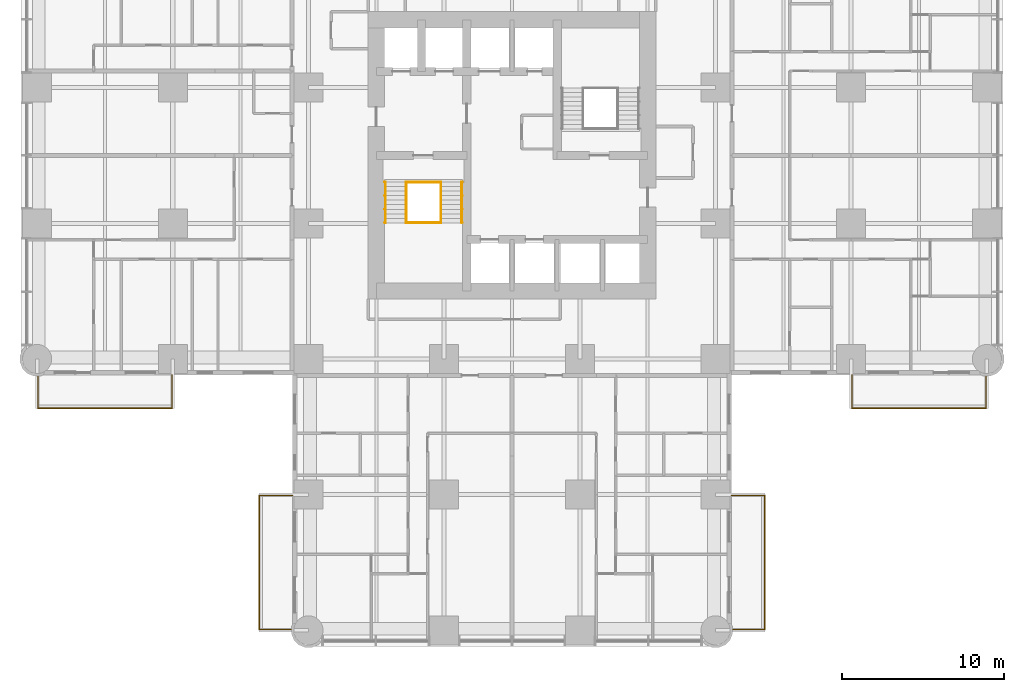
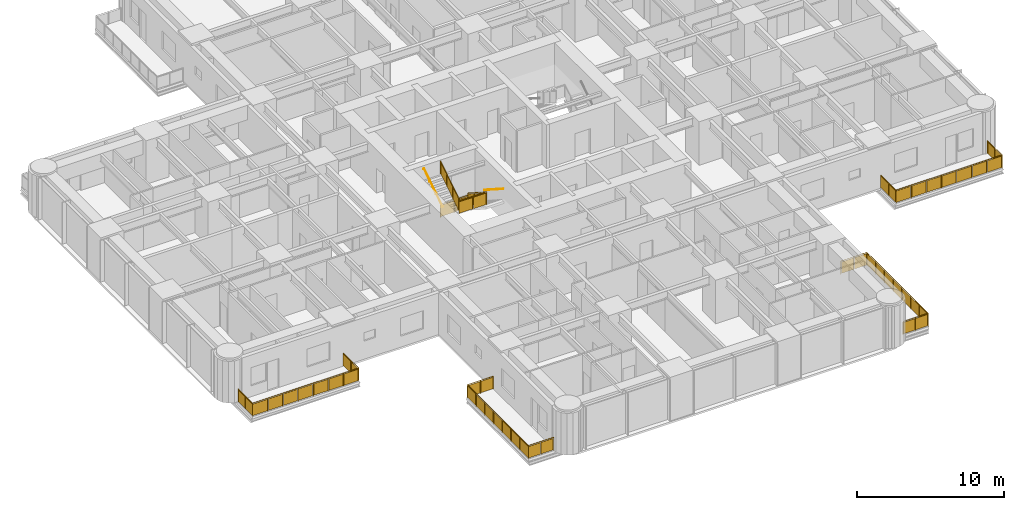
# One storey, part 16 of 17: 10 railings.
"""IFC4 building model written with IfcOpenShell, lengths in metres."""

from ifc_helpers import new_model, si_unit, direction, frame, origin, origin_2d, place, context, subcontext, project, spatial, polyline, circle, outline, extrude, material, constituent, constituent_set, type_object, element, save


model = new_model("IFC4")

# Units and contexts
model_context = context("Model", 3, precision=1e-05, world=origin(), true_north=direction((0.0, 1.0)))
body_context = subcontext(model_context, "Body", "Model", "MODEL_VIEW")
ifc_project = project(units=[si_unit("LENGTHUNIT", "METRE"), si_unit("AREAUNIT", "SQUARE_METRE"), si_unit("VOLUMEUNIT", "CUBIC_METRE"), si_unit("PLANEANGLEUNIT", "RADIAN"), si_unit("MASSUNIT", "GRAM", prefix="KILO")], contexts=[model_context])

# Site, building, storey
site_placement = place(None, origin())
site = spatial("IfcSite", under=ifc_project, at=site_placement, CompositionType="ELEMENT")
building_placement = place(site_placement, origin())
building = spatial("IfcBuilding", under=site, at=building_placement, Name="Torre Alcanfor", CompositionType="ELEMENT")
storey_placement = place(building_placement, frame((0.0, 0.0, 34.5)))
storey = spatial("IfcBuildingStorey", under=building, at=storey_placement, Name="L07", CompositionType="ELEMENT", Elevation=34.5)

# Railings
ifc_material_1 = material(Name="Laminated safety glass", Category="glass")
ifc_constituent_1 = constituent(ifc_material_1, Name="Infill")
ifc_material_2 = material(Name="Stainless steel ASTM A554 Grade MT 316L tube", Category="steel")
ifc_constituent_2 = constituent(ifc_material_2, Name="Posts and rail")
ifc_constituent_set = constituent_set(constituents=[ifc_constituent_1, ifc_constituent_2], Name="Balcony guard glass 1100")
railing_type_1 = type_object("IfcRailingType", Name="Balcony guard glass 1100", PredefinedType="BALUSTRADE", material=ifc_constituent_set)
railing_1_placement = place(storey_placement, frame((50.449951171875, 15.800048828125, 0.0)))
element("IfcRailing", 1, at=railing_1_placement, inside=storey, type_object=railing_type_1, Name="Balcony guard L07-E2", PredefinedType="BALUSTRADE", context=body_context, shape_type="SweptSolid", body=[
    extrude(circle(Radius=0.02392578125, at=origin_2d()), frame((0.0, 0.0, 1.076171875), z_axis=(0.0, -1.0, 0.0), x_axis=(1.0, 0.0, 0.0)), (0.0, 0.0, 1.0), 2.050048828125),
    extrude(circle(Radius=0.02392578125, at=origin_2d()), frame((0.0, -2.050048828125, 1.076171875), z_axis=(1.0, 0.0, 0.0), x_axis=(0.0, 1.0, 0.0)), (0.0, 0.0, 1.0), 8.300048828125),
    extrude(circle(Radius=0.02392578125, at=origin_2d()), frame((8.300048828125, -2.050048828125, 1.076171875), z_axis=(0.0, 1.0, 0.0), x_axis=(-1.0, 0.0, 0.0)), (0.0, 0.0, 1.0), 1.968994140625),
    extrude(circle(Radius=0.02099609375, at=origin_2d()), origin(), (0.0, 0.0, 1.0), 1.052001953125),
    extrude(circle(Radius=0.02099609375, at=origin_2d()), frame((0.0, -1.02490234375, 0.0)), (0.0, 0.0, 1.0), 1.052001953125),
    extrude(circle(Radius=0.02099609375, at=origin_2d()), frame((0.0, -2.050048828125, 0.0)), (0.0, 0.0, 1.0), 1.052001953125),
    extrude(circle(Radius=0.02099609375, at=origin_2d()), frame((1.185791015625, -2.050048828125, 0.0)), (0.0, 0.0, 1.0), 1.052001953125),
    extrude(circle(Radius=0.02099609375, at=origin_2d()), frame((2.371337890625, -2.050048828125, 0.0)), (0.0, 0.0, 1.0), 1.052001953125),
    extrude(circle(Radius=0.02099609375, at=origin_2d()), frame((3.55712890625, -2.050048828125, 0.0)), (0.0, 0.0, 1.0), 1.052001953125),
    extrude(circle(Radius=0.02099609375, at=origin_2d()), frame((4.742919921875, -2.050048828125, 0.0)), (0.0, 0.0, 1.0), 1.052001953125),
    extrude(circle(Radius=0.02099609375, at=origin_2d()), frame((5.9287109375, -2.050048828125, 0.0)), (0.0, 0.0, 1.0), 1.052001953125),
    extrude(circle(Radius=0.02099609375, at=origin_2d()), frame((7.1142578125, -2.050048828125, 0.0)), (0.0, 0.0, 1.0), 1.052001953125),
    extrude(circle(Radius=0.02099609375, at=origin_2d()), frame((8.300048828125, -2.050048828125, 0.0)), (0.0, 0.0, 1.0), 1.052001953125),
    extrude(circle(Radius=0.02099609375, at=origin_2d()), frame((8.300048828125, -1.0654296875, 0.0)), (0.0, 0.0, 1.0), 1.052001953125),
    extrude(circle(Radius=0.02099609375, at=origin_2d()), frame((8.300048828125, -0.0810546875, 0.0)), (0.0, 0.0, 1.0), 1.052001953125),
    extrude(outline(polyline([(0.041015625, 0.050048828125), (0.984130859375, 0.050048828125), (0.984130859375, 1.001953125), (0.041015625, 1.001953125), (0.041015625, 0.050048828125)])), frame((0.005859375, 0.0, 0.0), z_axis=(-1.0, 0.0, 0.0), x_axis=(0.0, -1.0, 0.0)), (0.0, 0.0, 1.0), 0.011962890625),
    extrude(outline(polyline([(1.06591796875, 0.050048828125), (2.009033203125, 0.050048828125), (2.009033203125, 1.001953125), (1.06591796875, 1.001953125), (1.06591796875, 0.050048828125)])), frame((0.005859375, 0.0, 0.0), z_axis=(-1.0, 0.0, 0.0), x_axis=(0.0, -1.0, 0.0)), (0.0, 0.0, 1.0), 0.011962890625),
    extrude(outline(polyline([(0.041015625, 0.050048828125), (1.144775390625, 0.050048828125), (1.144775390625, 1.001953125), (0.041015625, 1.001953125), (0.041015625, 0.050048828125)])), frame((0.0, -2.0439453125, 0.0), z_axis=(0.0, -1.0, 0.0), x_axis=(1.0, 0.0, 0.0)), (0.0, 0.0, 1.0), 0.011962890625),
    extrude(outline(polyline([(1.226806640625, 0.050048828125), (2.330322265625, 0.050048828125), (2.330322265625, 1.001953125), (1.226806640625, 1.001953125), (1.226806640625, 0.050048828125)])), frame((0.0, -2.0439453125, 0.0), z_axis=(0.0, -1.0, 0.0), x_axis=(1.0, 0.0, 0.0)), (0.0, 0.0, 1.0), 0.011962890625),
    extrude(outline(polyline([(2.412353515625, 0.050048828125), (3.51611328125, 0.050048828125), (3.51611328125, 1.001953125), (2.412353515625, 1.001953125), (2.412353515625, 0.050048828125)])), frame((0.0, -2.0439453125, 0.0), z_axis=(0.0, -1.0, 0.0), x_axis=(1.0, 0.0, 0.0)), (0.0, 0.0, 1.0), 0.011962890625),
    extrude(outline(polyline([(3.59814453125, 0.050048828125), (4.701904296875, 0.050048828125), (4.701904296875, 1.001953125), (3.59814453125, 1.001953125), (3.59814453125, 0.050048828125)])), frame((0.0, -2.0439453125, 0.0), z_axis=(0.0, -1.0, 0.0), x_axis=(1.0, 0.0, 0.0)), (0.0, 0.0, 1.0), 0.011962890625),
    extrude(outline(polyline([(4.783935546875, 0.050048828125), (5.8876953125, 0.050048828125), (5.8876953125, 1.001953125), (4.783935546875, 1.001953125), (4.783935546875, 0.050048828125)])), frame((0.0, -2.0439453125, 0.0), z_axis=(0.0, -1.0, 0.0), x_axis=(1.0, 0.0, 0.0)), (0.0, 0.0, 1.0), 0.011962890625),
    extrude(outline(polyline([(5.9697265625, 0.050048828125), (7.0732421875, 0.050048828125), (7.0732421875, 1.001953125), (5.9697265625, 1.001953125), (5.9697265625, 0.050048828125)])), frame((0.0, -2.0439453125, 0.0), z_axis=(0.0, -1.0, 0.0), x_axis=(1.0, 0.0, 0.0)), (0.0, 0.0, 1.0), 0.011962890625),
    extrude(outline(polyline([(7.1552734375, 0.050048828125), (8.259033203125, 0.050048828125), (8.259033203125, 1.001953125), (7.1552734375, 1.001953125), (7.1552734375, 0.050048828125)])), frame((0.0, -2.0439453125, 0.0), z_axis=(0.0, -1.0, 0.0), x_axis=(1.0, 0.0, 0.0)), (0.0, 0.0, 1.0), 0.011962890625),
    extrude(outline(polyline([(0.041015625, 0.050048828125), (0.943603515625, 0.050048828125), (0.943603515625, 1.001953125), (0.041015625, 1.001953125), (0.041015625, 0.050048828125)])), frame((8.2939453125, -2.050048828125, 0.0), z_axis=(1.0, 0.0, 0.0), x_axis=(0.0, 1.0, 0.0)), (0.0, 0.0, 1.0), 0.011962890625),
    extrude(outline(polyline([(1.025390625, 0.050048828125), (1.927978515625, 0.050048828125), (1.927978515625, 1.001953125), (1.025390625, 1.001953125), (1.025390625, 0.050048828125)])), frame((8.2939453125, -2.050048828125, 0.0), z_axis=(1.0, 0.0, 0.0), x_axis=(0.0, 1.0, 0.0)), (0.0, 0.0, 1.0), 0.011962890625),
])
railing_2_placement = place(storey_placement, frame((43.0, 8.35009765625, 0.0)))
element("IfcRailing", 2, at=railing_2_placement, inside=storey, type_object=railing_type_1, Name="Balcony guard L07-S1", PredefinedType="BALUSTRADE", context=body_context, shape_type="SweptSolid", body=[
    extrude(circle(Radius=0.02392578125, at=origin_2d()), frame((0.0, 0.0, 1.076171875), z_axis=(1.0, 0.0, 0.0), x_axis=(0.0, 1.0, 0.0)), (0.0, 0.0, 1.0), 2.050048828125),
    extrude(circle(Radius=0.02392578125, at=origin_2d()), frame((2.050048828125, 0.0, 1.076171875), z_axis=(0.0, -1.0, 0.0), x_axis=(1.0, 0.0, 0.0)), (0.0, 0.0, 1.0), 8.300048828125),
    extrude(circle(Radius=0.02392578125, at=origin_2d()), frame((2.050048828125, -8.300048828125, 1.076171875), z_axis=(-1.0, 0.0, 0.0), x_axis=(0.0, -1.0, 0.0)), (0.0, 0.0, 1.0), 1.968994140625),
    extrude(circle(Radius=0.02099609375, at=origin_2d()), origin(), (0.0, 0.0, 1.0), 1.052001953125),
    extrude(circle(Radius=0.02099609375, at=origin_2d()), frame((1.02490234375, 0.0, 0.0)), (0.0, 0.0, 1.0), 1.052001953125),
    extrude(circle(Radius=0.02099609375, at=origin_2d()), frame((2.050048828125, 0.0, 0.0)), (0.0, 0.0, 1.0), 1.052001953125),
    extrude(circle(Radius=0.02099609375, at=origin_2d()), frame((2.050048828125, -1.185791015625, 0.0)), (0.0, 0.0, 1.0), 1.052001953125),
    extrude(circle(Radius=0.02099609375, at=origin_2d()), frame((2.050048828125, -2.371337890625, 0.0)), (0.0, 0.0, 1.0), 1.052001953125),
    extrude(circle(Radius=0.02099609375, at=origin_2d()), frame((2.050048828125, -3.55712890625, 0.0)), (0.0, 0.0, 1.0), 1.052001953125),
    extrude(circle(Radius=0.02099609375, at=origin_2d()), frame((2.050048828125, -4.742919921875, 0.0)), (0.0, 0.0, 1.0), 1.052001953125),
    extrude(circle(Radius=0.02099609375, at=origin_2d()), frame((2.050048828125, -5.9287109375, 0.0)), (0.0, 0.0, 1.0), 1.052001953125),
    extrude(circle(Radius=0.02099609375, at=origin_2d()), frame((2.050048828125, -7.1142578125, 0.0)), (0.0, 0.0, 1.0), 1.052001953125),
    extrude(circle(Radius=0.02099609375, at=origin_2d()), frame((2.050048828125, -8.300048828125, 0.0)), (0.0, 0.0, 1.0), 1.052001953125),
    extrude(circle(Radius=0.02099609375, at=origin_2d()), frame((1.0654296875, -8.300048828125, 0.0)), (0.0, 0.0, 1.0), 1.052001953125),
    extrude(circle(Radius=0.02099609375, at=origin_2d()), frame((0.0810546875, -8.300048828125, 0.0)), (0.0, 0.0, 1.0), 1.052001953125),
    extrude(outline(polyline([(0.041015625, 0.050048828125), (0.984130859375, 0.050048828125), (0.984130859375, 1.001953125), (0.041015625, 1.001953125), (0.041015625, 0.050048828125)])), frame((0.0, 0.005859375, 0.0), z_axis=(0.0, -1.0, 0.0), x_axis=(1.0, 0.0, 0.0)), (0.0, 0.0, 1.0), 0.011962890625),
    extrude(outline(polyline([(1.06591796875, 0.050048828125), (2.009033203125, 0.050048828125), (2.009033203125, 1.001953125), (1.06591796875, 1.001953125), (1.06591796875, 0.050048828125)])), frame((0.0, 0.005859375, 0.0), z_axis=(0.0, -1.0, 0.0), x_axis=(1.0, 0.0, 0.0)), (0.0, 0.0, 1.0), 0.011962890625),
    extrude(outline(polyline([(0.041015625, 0.050048828125), (1.144775390625, 0.050048828125), (1.144775390625, 1.001953125), (0.041015625, 1.001953125), (0.041015625, 0.050048828125)])), frame((2.05615234375, 0.0, 0.0), z_axis=(-1.0, 0.0, 0.0), x_axis=(0.0, -1.0, 0.0)), (0.0, 0.0, 1.0), 0.011962890625),
    extrude(outline(polyline([(1.226806640625, 0.050048828125), (2.330322265625, 0.050048828125), (2.330322265625, 1.001953125), (1.226806640625, 1.001953125), (1.226806640625, 0.050048828125)])), frame((2.05615234375, 0.0, 0.0), z_axis=(-1.0, 0.0, 0.0), x_axis=(0.0, -1.0, 0.0)), (0.0, 0.0, 1.0), 0.011962890625),
    extrude(outline(polyline([(2.412353515625, 0.050048828125), (3.51611328125, 0.050048828125), (3.51611328125, 1.001953125), (2.412353515625, 1.001953125), (2.412353515625, 0.050048828125)])), frame((2.05615234375, 0.0, 0.0), z_axis=(-1.0, 0.0, 0.0), x_axis=(0.0, -1.0, 0.0)), (0.0, 0.0, 1.0), 0.011962890625),
    extrude(outline(polyline([(3.59814453125, 0.050048828125), (4.701904296875, 0.050048828125), (4.701904296875, 1.001953125), (3.59814453125, 1.001953125), (3.59814453125, 0.050048828125)])), frame((2.05615234375, 0.0, 0.0), z_axis=(-1.0, 0.0, 0.0), x_axis=(0.0, -1.0, 0.0)), (0.0, 0.0, 1.0), 0.011962890625),
    extrude(outline(polyline([(4.783935546875, 0.050048828125), (5.8876953125, 0.050048828125), (5.8876953125, 1.001953125), (4.783935546875, 1.001953125), (4.783935546875, 0.050048828125)])), frame((2.05615234375, 0.0, 0.0), z_axis=(-1.0, 0.0, 0.0), x_axis=(0.0, -1.0, 0.0)), (0.0, 0.0, 1.0), 0.011962890625),
    extrude(outline(polyline([(5.9697265625, 0.050048828125), (7.0732421875, 0.050048828125), (7.0732421875, 1.001953125), (5.9697265625, 1.001953125), (5.9697265625, 0.050048828125)])), frame((2.05615234375, 0.0, 0.0), z_axis=(-1.0, 0.0, 0.0), x_axis=(0.0, -1.0, 0.0)), (0.0, 0.0, 1.0), 0.011962890625),
    extrude(outline(polyline([(7.1552734375, 0.050048828125), (8.259033203125, 0.050048828125), (8.259033203125, 1.001953125), (7.1552734375, 1.001953125), (7.1552734375, 0.050048828125)])), frame((2.05615234375, 0.0, 0.0), z_axis=(-1.0, 0.0, 0.0), x_axis=(0.0, -1.0, 0.0)), (0.0, 0.0, 1.0), 0.011962890625),
    extrude(outline(polyline([(0.041015625, 0.050048828125), (0.943603515625, 0.050048828125), (0.943603515625, 1.001953125), (0.041015625, 1.001953125), (0.041015625, 0.050048828125)])), frame((2.050048828125, -8.30615234375, 0.0), z_axis=(0.0, 1.0, 0.0), x_axis=(-1.0, 0.0, 0.0)), (0.0, 0.0, 1.0), 0.011962890625),
    extrude(outline(polyline([(1.025390625, 0.050048828125), (1.927978515625, 0.050048828125), (1.927978515625, 1.001953125), (1.025390625, 1.001953125), (1.025390625, 0.050048828125)])), frame((2.050048828125, -8.30615234375, 0.0), z_axis=(0.0, 1.0, 0.0), x_axis=(-1.0, 0.0, 0.0)), (0.0, 0.0, 1.0), 0.011962890625),
])
railing_3_placement = place(storey_placement, frame((15.800048828125, 8.35009765625, 0.0)))
element("IfcRailing", 3, at=railing_3_placement, inside=storey, type_object=railing_type_1, Name="Balcony guard L07-S2", PredefinedType="BALUSTRADE", context=body_context, shape_type="SweptSolid", body=[
    extrude(circle(Radius=0.02392578125, at=origin_2d()), frame((0.0, 0.0, 1.076171875), z_axis=(-1.0, 0.0, 0.0), x_axis=(0.0, -1.0, 0.0)), (0.0, 0.0, 1.0), 2.050048828125),
    extrude(circle(Radius=0.02392578125, at=origin_2d()), frame((-2.050048828125, 0.0, 1.076171875), z_axis=(0.0, -1.0, 0.0), x_axis=(1.0, 0.0, 0.0)), (0.0, 0.0, 1.0), 8.300048828125),
    extrude(circle(Radius=0.02392578125, at=origin_2d()), frame((-2.050048828125, -8.300048828125, 1.076171875), z_axis=(1.0, 0.0, 0.0), x_axis=(0.0, 1.0, 0.0)), (0.0, 0.0, 1.0), 1.968994140625),
    extrude(circle(Radius=0.02099609375, at=origin_2d()), origin(), (0.0, 0.0, 1.0), 1.052001953125),
    extrude(circle(Radius=0.02099609375, at=origin_2d()), frame((-1.02490234375, 0.0, 0.0)), (0.0, 0.0, 1.0), 1.052001953125),
    extrude(circle(Radius=0.02099609375, at=origin_2d()), frame((-2.050048828125, 0.0, 0.0)), (0.0, 0.0, 1.0), 1.052001953125),
    extrude(circle(Radius=0.02099609375, at=origin_2d()), frame((-2.050048828125, -1.185791015625, 0.0)), (0.0, 0.0, 1.0), 1.052001953125),
    extrude(circle(Radius=0.02099609375, at=origin_2d()), frame((-2.050048828125, -2.371337890625, 0.0)), (0.0, 0.0, 1.0), 1.052001953125),
    extrude(circle(Radius=0.02099609375, at=origin_2d()), frame((-2.050048828125, -3.55712890625, 0.0)), (0.0, 0.0, 1.0), 1.052001953125),
    extrude(circle(Radius=0.02099609375, at=origin_2d()), frame((-2.050048828125, -4.742919921875, 0.0)), (0.0, 0.0, 1.0), 1.052001953125),
    extrude(circle(Radius=0.02099609375, at=origin_2d()), frame((-2.050048828125, -5.9287109375, 0.0)), (0.0, 0.0, 1.0), 1.052001953125),
    extrude(circle(Radius=0.02099609375, at=origin_2d()), frame((-2.050048828125, -7.1142578125, 0.0)), (0.0, 0.0, 1.0), 1.052001953125),
    extrude(circle(Radius=0.02099609375, at=origin_2d()), frame((-2.050048828125, -8.300048828125, 0.0)), (0.0, 0.0, 1.0), 1.052001953125),
    extrude(circle(Radius=0.02099609375, at=origin_2d()), frame((-1.0654296875, -8.300048828125, 0.0)), (0.0, 0.0, 1.0), 1.052001953125),
    extrude(circle(Radius=0.02099609375, at=origin_2d()), frame((-0.0810546875, -8.300048828125, 0.0)), (0.0, 0.0, 1.0), 1.052001953125),
    extrude(outline(polyline([(0.041015625, 0.050048828125), (0.984130859375, 0.050048828125), (0.984130859375, 1.001953125), (0.041015625, 1.001953125), (0.041015625, 0.050048828125)])), frame((0.0, -0.005859375, 0.0), z_axis=(0.0, 1.0, 0.0), x_axis=(-1.0, 0.0, 0.0)), (0.0, 0.0, 1.0), 0.011962890625),
    extrude(outline(polyline([(1.06591796875, 0.050048828125), (2.009033203125, 0.050048828125), (2.009033203125, 1.001953125), (1.06591796875, 1.001953125), (1.06591796875, 0.050048828125)])), frame((0.0, -0.005859375, 0.0), z_axis=(0.0, 1.0, 0.0), x_axis=(-1.0, 0.0, 0.0)), (0.0, 0.0, 1.0), 0.011962890625),
    extrude(outline(polyline([(0.041015625, 0.050048828125), (1.144775390625, 0.050048828125), (1.144775390625, 1.001953125), (0.041015625, 1.001953125), (0.041015625, 0.050048828125)])), frame((-2.0439453125, 0.0, 0.0), z_axis=(-1.0, 0.0, 0.0), x_axis=(0.0, -1.0, 0.0)), (0.0, 0.0, 1.0), 0.011962890625),
    extrude(outline(polyline([(1.226806640625, 0.050048828125), (2.330322265625, 0.050048828125), (2.330322265625, 1.001953125), (1.226806640625, 1.001953125), (1.226806640625, 0.050048828125)])), frame((-2.0439453125, 0.0, 0.0), z_axis=(-1.0, 0.0, 0.0), x_axis=(0.0, -1.0, 0.0)), (0.0, 0.0, 1.0), 0.011962890625),
    extrude(outline(polyline([(2.412353515625, 0.050048828125), (3.51611328125, 0.050048828125), (3.51611328125, 1.001953125), (2.412353515625, 1.001953125), (2.412353515625, 0.050048828125)])), frame((-2.0439453125, 0.0, 0.0), z_axis=(-1.0, 0.0, 0.0), x_axis=(0.0, -1.0, 0.0)), (0.0, 0.0, 1.0), 0.011962890625),
    extrude(outline(polyline([(3.59814453125, 0.050048828125), (4.701904296875, 0.050048828125), (4.701904296875, 1.001953125), (3.59814453125, 1.001953125), (3.59814453125, 0.050048828125)])), frame((-2.0439453125, 0.0, 0.0), z_axis=(-1.0, 0.0, 0.0), x_axis=(0.0, -1.0, 0.0)), (0.0, 0.0, 1.0), 0.011962890625),
    extrude(outline(polyline([(4.783935546875, 0.050048828125), (5.8876953125, 0.050048828125), (5.8876953125, 1.001953125), (4.783935546875, 1.001953125), (4.783935546875, 0.050048828125)])), frame((-2.0439453125, 0.0, 0.0), z_axis=(-1.0, 0.0, 0.0), x_axis=(0.0, -1.0, 0.0)), (0.0, 0.0, 1.0), 0.011962890625),
    extrude(outline(polyline([(5.9697265625, 0.050048828125), (7.0732421875, 0.050048828125), (7.0732421875, 1.001953125), (5.9697265625, 1.001953125), (5.9697265625, 0.050048828125)])), frame((-2.0439453125, 0.0, 0.0), z_axis=(-1.0, 0.0, 0.0), x_axis=(0.0, -1.0, 0.0)), (0.0, 0.0, 1.0), 0.011962890625),
    extrude(outline(polyline([(7.1552734375, 0.050048828125), (8.259033203125, 0.050048828125), (8.259033203125, 1.001953125), (7.1552734375, 1.001953125), (7.1552734375, 0.050048828125)])), frame((-2.0439453125, 0.0, 0.0), z_axis=(-1.0, 0.0, 0.0), x_axis=(0.0, -1.0, 0.0)), (0.0, 0.0, 1.0), 0.011962890625),
    extrude(outline(polyline([(0.041015625, 0.050048828125), (0.943603515625, 0.050048828125), (0.943603515625, 1.001953125), (0.041015625, 1.001953125), (0.041015625, 0.050048828125)])), frame((-2.050048828125, -8.2939453125, 0.0), z_axis=(0.0, -1.0, 0.0), x_axis=(1.0, 0.0, 0.0)), (0.0, 0.0, 1.0), 0.011962890625),
    extrude(outline(polyline([(1.025390625, 0.050048828125), (1.927978515625, 0.050048828125), (1.927978515625, 1.001953125), (1.025390625, 1.001953125), (1.025390625, 0.050048828125)])), frame((-2.050048828125, -8.2939453125, 0.0), z_axis=(0.0, -1.0, 0.0), x_axis=(1.0, 0.0, 0.0)), (0.0, 0.0, 1.0), 0.011962890625),
])
railing_4_placement = place(storey_placement, frame((8.35009765625, 15.800048828125, 0.0)))
element("IfcRailing", 4, at=railing_4_placement, inside=storey, type_object=railing_type_1, Name="Balcony guard L07-W1", PredefinedType="BALUSTRADE", context=body_context, shape_type="SweptSolid", body=[
    extrude(circle(Radius=0.02392578125, at=origin_2d()), frame((0.0, 0.0, 1.076171875), z_axis=(0.0, -1.0, 0.0), x_axis=(1.0, 0.0, 0.0)), (0.0, 0.0, 1.0), 2.050048828125),
    extrude(circle(Radius=0.02392578125, at=origin_2d()), frame((0.0, -2.050048828125, 1.076171875), z_axis=(-1.0, 0.0, 0.0), x_axis=(0.0, -1.0, 0.0)), (0.0, 0.0, 1.0), 8.300048828125),
    extrude(circle(Radius=0.02392578125, at=origin_2d()), frame((-8.300048828125, -2.050048828125, 1.076171875), z_axis=(0.0, 1.0, 0.0), x_axis=(-1.0, 0.0, 0.0)), (0.0, 0.0, 1.0), 1.968994140625),
    extrude(circle(Radius=0.02099609375, at=origin_2d()), origin(), (0.0, 0.0, 1.0), 1.052001953125),
    extrude(circle(Radius=0.02099609375, at=origin_2d()), frame((0.0, -1.02490234375, 0.0)), (0.0, 0.0, 1.0), 1.052001953125),
    extrude(circle(Radius=0.02099609375, at=origin_2d()), frame((0.0, -2.050048828125, 0.0)), (0.0, 0.0, 1.0), 1.052001953125),
    extrude(circle(Radius=0.02099609375, at=origin_2d()), frame((-1.185791015625, -2.050048828125, 0.0)), (0.0, 0.0, 1.0), 1.052001953125),
    extrude(circle(Radius=0.02099609375, at=origin_2d()), frame((-2.371337890625, -2.050048828125, 0.0)), (0.0, 0.0, 1.0), 1.052001953125),
    extrude(circle(Radius=0.02099609375, at=origin_2d()), frame((-3.55712890625, -2.050048828125, 0.0)), (0.0, 0.0, 1.0), 1.052001953125),
    extrude(circle(Radius=0.02099609375, at=origin_2d()), frame((-4.742919921875, -2.050048828125, 0.0)), (0.0, 0.0, 1.0), 1.052001953125),
    extrude(circle(Radius=0.02099609375, at=origin_2d()), frame((-5.9287109375, -2.050048828125, 0.0)), (0.0, 0.0, 1.0), 1.052001953125),
    extrude(circle(Radius=0.02099609375, at=origin_2d()), frame((-7.1142578125, -2.050048828125, 0.0)), (0.0, 0.0, 1.0), 1.052001953125),
    extrude(circle(Radius=0.02099609375, at=origin_2d()), frame((-8.300048828125, -2.050048828125, 0.0)), (0.0, 0.0, 1.0), 1.052001953125),
    extrude(circle(Radius=0.02099609375, at=origin_2d()), frame((-8.300048828125, -1.0654296875, 0.0)), (0.0, 0.0, 1.0), 1.052001953125),
    extrude(circle(Radius=0.02099609375, at=origin_2d()), frame((-8.300048828125, -0.0810546875, 0.0)), (0.0, 0.0, 1.0), 1.052001953125),
    extrude(outline(polyline([(0.041015625, 0.050048828125), (0.984130859375, 0.050048828125), (0.984130859375, 1.001953125), (0.041015625, 1.001953125), (0.041015625, 0.050048828125)])), frame((0.005859375, 0.0, 0.0), z_axis=(-1.0, 0.0, 0.0), x_axis=(0.0, -1.0, 0.0)), (0.0, 0.0, 1.0), 0.011962890625),
    extrude(outline(polyline([(1.06591796875, 0.050048828125), (2.009033203125, 0.050048828125), (2.009033203125, 1.001953125), (1.06591796875, 1.001953125), (1.06591796875, 0.050048828125)])), frame((0.005859375, 0.0, 0.0), z_axis=(-1.0, 0.0, 0.0), x_axis=(0.0, -1.0, 0.0)), (0.0, 0.0, 1.0), 0.011962890625),
    extrude(outline(polyline([(0.041015625, 0.050048828125), (1.144775390625, 0.050048828125), (1.144775390625, 1.001953125), (0.041015625, 1.001953125), (0.041015625, 0.050048828125)])), frame((0.0, -2.05615234375, 0.0), z_axis=(0.0, 1.0, 0.0), x_axis=(-1.0, 0.0, 0.0)), (0.0, 0.0, 1.0), 0.011962890625),
    extrude(outline(polyline([(1.226806640625, 0.050048828125), (2.330322265625, 0.050048828125), (2.330322265625, 1.001953125), (1.226806640625, 1.001953125), (1.226806640625, 0.050048828125)])), frame((0.0, -2.05615234375, 0.0), z_axis=(0.0, 1.0, 0.0), x_axis=(-1.0, 0.0, 0.0)), (0.0, 0.0, 1.0), 0.011962890625),
    extrude(outline(polyline([(2.412353515625, 0.050048828125), (3.51611328125, 0.050048828125), (3.51611328125, 1.001953125), (2.412353515625, 1.001953125), (2.412353515625, 0.050048828125)])), frame((0.0, -2.05615234375, 0.0), z_axis=(0.0, 1.0, 0.0), x_axis=(-1.0, 0.0, 0.0)), (0.0, 0.0, 1.0), 0.011962890625),
    extrude(outline(polyline([(3.59814453125, 0.050048828125), (4.701904296875, 0.050048828125), (4.701904296875, 1.001953125), (3.59814453125, 1.001953125), (3.59814453125, 0.050048828125)])), frame((0.0, -2.05615234375, 0.0), z_axis=(0.0, 1.0, 0.0), x_axis=(-1.0, 0.0, 0.0)), (0.0, 0.0, 1.0), 0.011962890625),
    extrude(outline(polyline([(4.783935546875, 0.050048828125), (5.8876953125, 0.050048828125), (5.8876953125, 1.001953125), (4.783935546875, 1.001953125), (4.783935546875, 0.050048828125)])), frame((0.0, -2.05615234375, 0.0), z_axis=(0.0, 1.0, 0.0), x_axis=(-1.0, 0.0, 0.0)), (0.0, 0.0, 1.0), 0.011962890625),
    extrude(outline(polyline([(5.9697265625, 0.050048828125), (7.0732421875, 0.050048828125), (7.0732421875, 1.001953125), (5.9697265625, 1.001953125), (5.9697265625, 0.050048828125)])), frame((0.0, -2.05615234375, 0.0), z_axis=(0.0, 1.0, 0.0), x_axis=(-1.0, 0.0, 0.0)), (0.0, 0.0, 1.0), 0.011962890625),
    extrude(outline(polyline([(7.1552734375, 0.050048828125), (8.259033203125, 0.050048828125), (8.259033203125, 1.001953125), (7.1552734375, 1.001953125), (7.1552734375, 0.050048828125)])), frame((0.0, -2.05615234375, 0.0), z_axis=(0.0, 1.0, 0.0), x_axis=(-1.0, 0.0, 0.0)), (0.0, 0.0, 1.0), 0.011962890625),
    extrude(outline(polyline([(0.041015625, 0.050048828125), (0.943603515625, 0.050048828125), (0.943603515625, 1.001953125), (0.041015625, 1.001953125), (0.041015625, 0.050048828125)])), frame((-8.30615234375, -2.050048828125, 0.0), z_axis=(1.0, 0.0, 0.0), x_axis=(0.0, 1.0, 0.0)), (0.0, 0.0, 1.0), 0.011962890625),
    extrude(outline(polyline([(1.025390625, 0.050048828125), (1.927978515625, 0.050048828125), (1.927978515625, 1.001953125), (1.025390625, 1.001953125), (1.025390625, 0.050048828125)])), frame((-8.30615234375, -2.050048828125, 0.0), z_axis=(1.0, 0.0, 0.0), x_axis=(0.0, 1.0, 0.0)), (0.0, 0.0, 1.0), 0.011962890625),
])
ifc_material_3 = material(Name="Steel ASTM A500 Grade C hollow sections", Category="steel")
railing_type_2 = type_object("IfcRailingType", Name="Stair guard and handrail 1100", PredefinedType="GUARDRAIL", material=ifc_material_3)
railing_5_placement = place(storey_placement, frame((25.0, 27.75, 0.179931640625)))
element("IfcRailing", 5, at=railing_5_placement, inside=storey, type_object=railing_type_2, Name="Stair guard S1 L07 flight 1", PredefinedType="GUARDRAIL", context=body_context, shape_type="SweptSolid", body=[
    extrude(circle(Radius=0.02392578125, at=origin_2d()), frame((0.0, 0.0, 1.076171875), z_axis=(0.0, -0.841162588446, 0.540782303519), x_axis=(1.0, 0.0, 0.0)), (0.0, 0.0, 1.0), 2.995849609375),
    extrude(circle(Radius=0.02099609375, at=origin_2d()), origin(), (0.0, 0.0, 1.0), 1.052001953125),
    extrude(circle(Radius=0.02099609375, at=origin_2d()), frame((0.0, -0.840087890625, 0.5400390625)), (0.0, 0.0, 1.0), 1.052001953125),
    extrude(circle(Radius=0.02099609375, at=origin_2d()), frame((0.0, -1.679931640625, 1.080078125)), (0.0, 0.0, 1.0), 1.052001953125),
    extrude(circle(Radius=0.02099609375, at=origin_2d()), frame((0.0, -2.52001953125, 1.6201171875)), (0.0, 0.0, 1.0), 1.052001953125),
    extrude(outline(polyline([(0.041015625, 0.076416015625), (0.799072265625, 0.563720703125), (0.799072265625, 1.515625), (0.041015625, 1.0283203125), (0.041015625, 0.076416015625)])), frame((0.005859375, 0.0, 0.0), z_axis=(-1.0, 0.0, 0.0), x_axis=(0.0, -1.0, 0.0)), (0.0, 0.0, 1.0), 0.011962890625),
    extrude(outline(polyline([(0.881103515625, 0.616455078125), (1.638916015625, 1.103759765625), (1.638916015625, 2.0556640625), (0.881103515625, 1.568359375), (0.881103515625, 0.616455078125)])), frame((0.005859375, 0.0, 0.0), z_axis=(-1.0, 0.0, 0.0), x_axis=(0.0, -1.0, 0.0)), (0.0, 0.0, 1.0), 0.011962890625),
    extrude(outline(polyline([(1.720947265625, 1.156494140625), (2.47900390625, 1.643798828125), (2.47900390625, 2.595703125), (1.720947265625, 2.1083984375), (1.720947265625, 1.156494140625)])), frame((0.005859375, 0.0, 0.0), z_axis=(-1.0, 0.0, 0.0), x_axis=(0.0, -1.0, 0.0)), (0.0, 0.0, 1.0), 0.011962890625),
])
railing_6_placement = place(storey_placement, frame((22.85009765625, 25.22998046875, 1.97998046875)))
element("IfcRailing", 6, at=railing_6_placement, inside=storey, type_object=railing_type_2, Name="Stair guard S1 L07 flight 2", PredefinedType="GUARDRAIL", context=body_context, shape_type="SweptSolid", body=[
    extrude(circle(Radius=0.02392578125, at=origin_2d()), frame((0.0, 0.0, 1.076171875), z_axis=(0.0, 0.841162588446, 0.540782303519), x_axis=(-1.0, 0.0, 0.0)), (0.0, 0.0, 1.0), 2.995849609375),
    extrude(circle(Radius=0.02099609375, at=origin_2d()), origin(), (0.0, 0.0, 1.0), 1.052001953125),
    extrude(circle(Radius=0.02099609375, at=origin_2d()), frame((0.0, 0.840087890625, 0.5400390625)), (0.0, 0.0, 1.0), 1.052001953125),
    extrude(circle(Radius=0.02099609375, at=origin_2d()), frame((0.0, 1.679931640625, 1.080078125)), (0.0, 0.0, 1.0), 1.052001953125),
    extrude(circle(Radius=0.02099609375, at=origin_2d()), frame((0.0, 2.52001953125, 1.6201171875)), (0.0, 0.0, 1.0), 1.052001953125),
    extrude(outline(polyline([(0.041015625, 0.076416015625), (0.799072265625, 0.563720703125), (0.799072265625, 1.515625), (0.041015625, 1.0283203125), (0.041015625, 0.076416015625)])), frame((-0.005859375, 0.0, 0.0), z_axis=(1.0, 0.0, 0.0), x_axis=(0.0, 1.0, 0.0)), (0.0, 0.0, 1.0), 0.011962890625),
    extrude(outline(polyline([(0.881103515625, 0.616455078125), (1.638916015625, 1.103759765625), (1.638916015625, 2.0556640625), (0.881103515625, 1.568359375), (0.881103515625, 0.616455078125)])), frame((-0.005859375, 0.0, 0.0), z_axis=(1.0, 0.0, 0.0), x_axis=(0.0, 1.0, 0.0)), (0.0, 0.0, 1.0), 0.011962890625),
    extrude(outline(polyline([(1.720947265625, 1.156494140625), (2.47900390625, 1.643798828125), (2.47900390625, 2.595703125), (1.720947265625, 2.1083984375), (1.720947265625, 1.156494140625)])), frame((-0.005859375, 0.0, 0.0), z_axis=(1.0, 0.0, 0.0), x_axis=(0.0, 1.0, 0.0)), (0.0, 0.0, 1.0), 0.011962890625),
])
for number, where, name in (
    (7, (22.85009765625, 27.75, 0.0), "Stair well guard S1 L07 floor landing"),
    (8, (22.85009765625, 25.22998046875, 1.800048828125), "Stair well guard S1 L07 half landing"),
):
    element("IfcRailing", number, at=place(storey_placement, frame(where)), inside=storey, type_object=railing_type_2, Name=name, PredefinedType="GUARDRAIL", context=body_context, shape_type="SweptSolid", body=[
        extrude(circle(Radius=0.02392578125, at=origin_2d()), frame((0.0, 0.0, 1.076171875), z_axis=(1.0, 0.0, 0.0), x_axis=(0.0, 1.0, 0.0)), (0.0, 0.0, 1.0), 2.14990234375),
        extrude(circle(Radius=0.02099609375, at=origin_2d()), origin(), (0.0, 0.0, 1.0), 1.052001953125),
        extrude(circle(Radius=0.02099609375, at=origin_2d()), frame((1.074951171875, 0.0, 0.0)), (0.0, 0.0, 1.0), 1.052001953125),
        extrude(circle(Radius=0.02099609375, at=origin_2d()), frame((2.14990234375, 0.0, 0.0)), (0.0, 0.0, 1.0), 1.052001953125),
        extrude(outline(polyline([(0.041015625, 0.050048828125), (1.033935546875, 0.050048828125), (1.033935546875, 1.001953125), (0.041015625, 1.001953125), (0.041015625, 0.050048828125)])), frame((0.0, 0.005859375, 0.0), z_axis=(0.0, -1.0, 0.0), x_axis=(1.0, 0.0, 0.0)), (0.0, 0.0, 1.0), 0.011962890625),
        extrude(outline(polyline([(1.115966796875, 0.050048828125), (2.10888671875, 0.050048828125), (2.10888671875, 1.001953125), (1.115966796875, 1.001953125), (1.115966796875, 0.050048828125)])), frame((0.0, 0.005859375, 0.0), z_axis=(0.0, -1.0, 0.0), x_axis=(1.0, 0.0, 0.0)), (0.0, 0.0, 1.0), 0.011962890625),
    ])
ifc_material_4 = material(Name="Steel ASTM A500 Grade C hollow sections", Category="steel")
railing_type_3 = type_object("IfcRailingType", Name="Stair wall handrail 900", PredefinedType="HANDRAIL", material=ifc_material_4)
railing_7_placement = place(storey_placement, frame((26.284912109375, 27.75, 0.179931640625)))
element("IfcRailing", 9, at=railing_7_placement, inside=storey, type_object=railing_type_3, Name="Stair handrail S1 L07 flight 1", PredefinedType="HANDRAIL", context=body_context, shape_type="SweptSolid", body=[
    extrude(circle(Radius=0.02392578125, at=origin_2d()), frame((0.0, 0.0, 0.8759765625), z_axis=(0.0, -0.841162588446, 0.540782303519), x_axis=(1.0, 0.0, 0.0)), (0.0, 0.0, 1.0), 2.995849609375),
    extrude(circle(Radius=0.008056640625, at=origin_2d()), frame((0.0, 0.0, 0.8759765625), z_axis=(1.0, 0.0, 0.0), x_axis=(0.0, 0.0, 1.0)), (0.0, 0.0, 1.0), 0.06494140625),
    extrude(circle(Radius=0.008056640625, at=origin_2d()), frame((0.0, -0.840087890625, 1.416015625), z_axis=(1.0, 0.0, 0.0), x_axis=(0.0, 0.0, 1.0)), (0.0, 0.0, 1.0), 0.06494140625),
    extrude(circle(Radius=0.008056640625, at=origin_2d()), frame((0.0, -1.679931640625, 1.9560546875), z_axis=(1.0, 0.0, 0.0), x_axis=(0.0, 0.0, 1.0)), (0.0, 0.0, 1.0), 0.06494140625),
    extrude(circle(Radius=0.008056640625, at=origin_2d()), frame((0.0, -2.52001953125, 2.49609375), z_axis=(1.0, 0.0, 0.0), x_axis=(0.0, 0.0, 1.0)), (0.0, 0.0, 1.0), 0.06494140625),
])
railing_8_placement = place(storey_placement, frame((21.56494140625, 25.22998046875, 1.97998046875)))
element("IfcRailing", 10, at=railing_8_placement, inside=storey, type_object=railing_type_3, Name="Stair handrail S1 L07 flight 2", PredefinedType="HANDRAIL", context=body_context, shape_type="SweptSolid", body=[
    extrude(circle(Radius=0.02392578125, at=origin_2d()), frame((0.0, 0.0, 0.8759765625), z_axis=(0.0, 0.841162588446, 0.540782303519), x_axis=(-1.0, 0.0, 0.0)), (0.0, 0.0, 1.0), 2.995849609375),
    extrude(circle(Radius=0.008056640625, at=origin_2d()), frame((0.0, 0.0, 0.8759765625), z_axis=(-1.0, 0.0, 0.0), x_axis=(0.0, 0.0, 1.0)), (0.0, 0.0, 1.0), 0.06494140625),
    extrude(circle(Radius=0.008056640625, at=origin_2d()), frame((0.0, 0.840087890625, 1.416015625), z_axis=(-1.0, 0.0, 0.0), x_axis=(0.0, 0.0, 1.0)), (0.0, 0.0, 1.0), 0.06494140625),
    extrude(circle(Radius=0.008056640625, at=origin_2d()), frame((0.0, 1.679931640625, 1.9560546875), z_axis=(-1.0, 0.0, 0.0), x_axis=(0.0, 0.0, 1.0)), (0.0, 0.0, 1.0), 0.06494140625),
    extrude(circle(Radius=0.008056640625, at=origin_2d()), frame((0.0, 2.52001953125, 2.49609375), z_axis=(-1.0, 0.0, 0.0), x_axis=(0.0, 0.0, 1.0)), (0.0, 0.0, 1.0), 0.06494140625),
])

save(model, "model.ifc")
